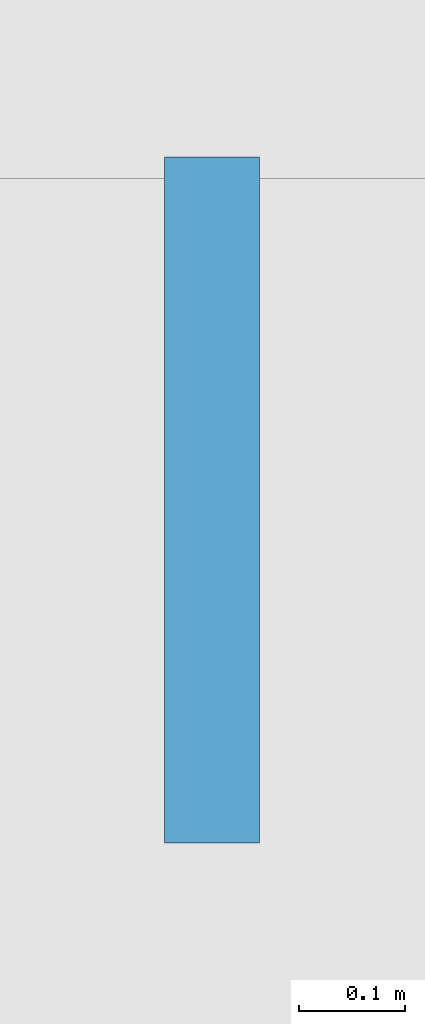
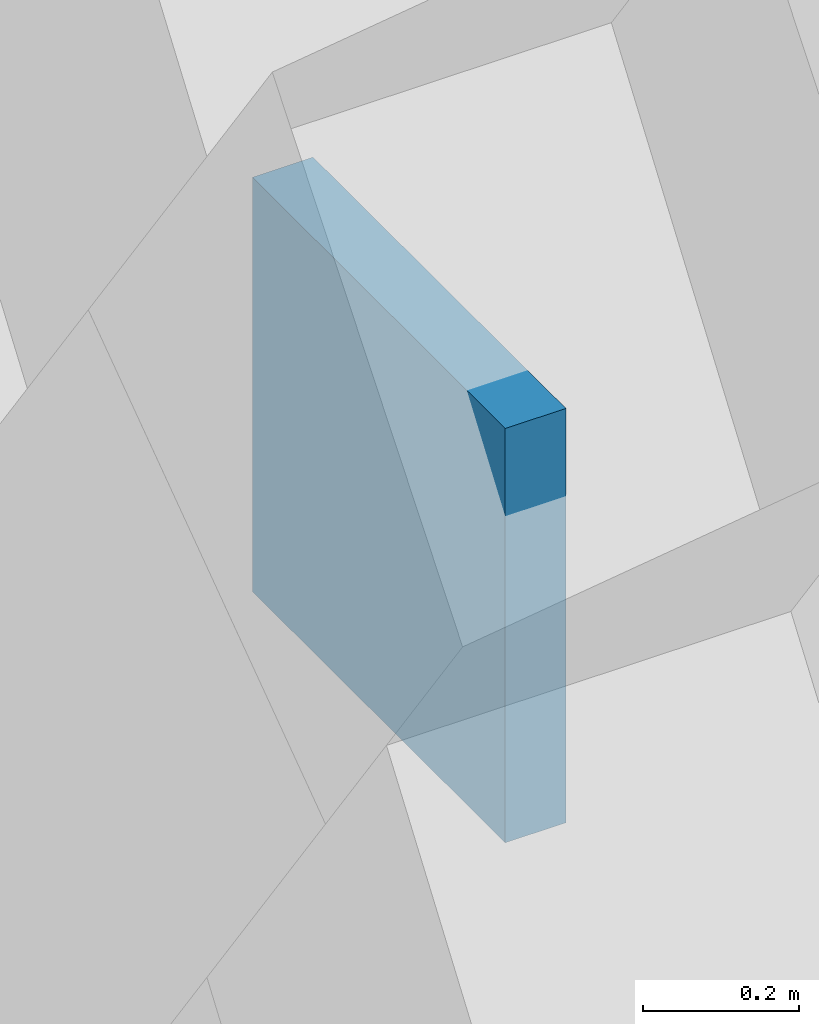
# One storey, part 42 of 62: 1 plate.
"""IFC4 building model written with IfcOpenShell, lengths in metres."""

import ifcopenshell
import ifcopenshell.guid

model = None  # the IFC model being written
_history = None  # IfcOwnerHistory: only IFC2X3 demands one
_inside = {}  # id of a spatial element -> (the spatial element, [elements in it])
_under = {}  # id of a project, library or spatial element -> (it, [spatial elements below it])
_declared = {}  # id of a project -> (the project, [libraries it declares])
_typed = {}  # id of a type object -> (the type object, [elements of that type])
_made_of = {}  # id of a material, layer set ... -> (it, [elements and type objects made of it])


def new_model(schema):
    """Start an empty IFC model of exactly this schema.

    Asked for "IFC4X3", IfcOpenShell would pick the latest addendum, in which some entities
    have other attributes; the version numbers below select the first issue.
    IFC2X3 requires an IfcOwnerHistory on every rooted entity: one is made here for all.
    """
    global model, _history
    if schema == "IFC4X3":
        model = ifcopenshell.file(schema_version=(4, 3, 0, 0))
    else:
        model = ifcopenshell.file(schema=schema)
    _inside.clear()
    _under.clear()
    _declared.clear()
    _typed.clear()
    _made_of.clear()
    _history = None
    if model.schema == "IFC2X3":
        org = make("IfcOrganization", Name="unknown")
        user = make(
            "IfcPersonAndOrganization",
            ThePerson=make("IfcPerson", FamilyName="unknown"),
            TheOrganization=org,
        )
        app = make(
            "IfcApplication",
            ApplicationDeveloper=org,
            Version="unknown",
            ApplicationFullName="unknown",
            ApplicationIdentifier="unknown",
        )
        _history = make(
            "IfcOwnerHistory",
            OwningUser=user,
            OwningApplication=app,
            ChangeAction="ADDED",
            CreationDate=0,
        )
    return model


def make(cls, **values):
    """One entity of the class cls with the attributes given. An attribute that is None is left unset."""
    return model.create_entity(
        cls, **{name: value for name, value in values.items() if value is not None}
    )


def rooted(cls, **values):
    """An entity with a GlobalId (a new one), such as an element, a storey or a relation."""
    return make(cls, GlobalId=ifcopenshell.guid.new(), OwnerHistory=_history, **values)


def si_unit(unit_type, name, prefix=None):
    """IfcSIUnit, for example si_unit("LENGTHUNIT", "METRE", prefix="MILLI")."""
    return make("IfcSIUnit", UnitType=unit_type, Prefix=prefix, Name=name)


def assignment(units):
    """IfcUnitAssignment: the units of a project."""
    return None if units is None else make("IfcUnitAssignment", Units=units)


def point(xyz):
    """IfcCartesianPoint."""
    return None if xyz is None else make("IfcCartesianPoint", Coordinates=xyz)


def direction(xyz):
    """IfcDirection."""
    return None if xyz is None else make("IfcDirection", DirectionRatios=xyz)


def frame(location, z_axis=None, x_axis=None):
    """IfcAxis2Placement3D, a coordinate frame: its origin and axes. An axis left out is left unset."""
    return make(
        "IfcAxis2Placement3D",
        Location=point(location),
        Axis=direction(z_axis),
        RefDirection=direction(x_axis),
    )


def frame_2d(location, x_axis=None):
    """IfcAxis2Placement2D, a coordinate frame in the plane: its origin and x axis."""
    return make(
        "IfcAxis2Placement2D", Location=point(location), RefDirection=direction(x_axis)
    )


def origin():
    """The frame at (0, 0, 0) with its axes left unset."""
    return frame((0.0, 0.0, 0.0))


def origin_2d():
    """The frame at (0, 0) in the plane with its x axis left unset."""
    return frame_2d((0.0, 0.0))


def place(relative_to, where):
    """IfcLocalPlacement: puts the frame where relative to a parent placement (None: the world)."""
    return make(
        "IfcLocalPlacement", PlacementRelTo=relative_to, RelativePlacement=where
    )


def context(
    kind, dimensions, precision=None, world=None, true_north=None, identifier=None
):
    """IfcGeometricRepresentationContext, for example the 3D "Model" context."""
    return make(
        "IfcGeometricRepresentationContext",
        ContextIdentifier=identifier,
        ContextType=kind,
        CoordinateSpaceDimension=dimensions,
        Precision=precision,
        WorldCoordinateSystem=world,
        TrueNorth=true_north,
    )


def subcontext(parent, identifier, kind, view, scale=None):
    """IfcGeometricRepresentationSubContext, for example "Body" below "Model"."""
    return make(
        "IfcGeometricRepresentationSubContext",
        ContextIdentifier=identifier,
        ContextType=kind,
        ParentContext=parent,
        TargetScale=scale,
        TargetView=view,
    )


def project(units=None, contexts=None):
    """IfcProject with its units and contexts."""
    return rooted(
        "IfcProject",
        Name="project",
        RepresentationContexts=contexts,
        UnitsInContext=assignment(units),
    )


def spatial(cls, under=None, at=None, **own):
    """A site, building, storey or space (cls), placed at a placement, below another one or the project."""
    s = rooted(cls, ObjectPlacement=at, **own)
    if under is not None:
        _under.setdefault(under.id(), (under, []))[1].append(s)
    return s


def profile(cls, at=None, kind="AREA", **sizes):
    """A parametric profile (cls). Its sizes go by their IFC names, for example OverallWidth=200.0."""
    return make(cls, ProfileType=kind, Position=at, **sizes)


def rectangle(**sizes):
    """IfcRectangleProfileDef."""
    return profile("IfcRectangleProfileDef", **sizes)


def extrude(swept, where, along, depth):
    """IfcExtrudedAreaSolid: the profile swept, set in the frame where, extruded along a direction by depth."""
    return make(
        "IfcExtrudedAreaSolid",
        SweptArea=swept,
        Position=where,
        ExtrudedDirection=direction(along),
        Depth=depth,
    )


def shape(context_of_items, identifier, shape_type, items):
    """IfcShapeRepresentation: the items that make up one representation, for example the "Body"."""
    return make(
        "IfcShapeRepresentation",
        ContextOfItems=context_of_items,
        RepresentationIdentifier=identifier,
        RepresentationType=shape_type,
        Items=items,
    )


def material(Name=None, Category=None):
    """IfcMaterial."""
    return make("IfcMaterial", Name=Name, Category=Category)


def layer(
    of_material, thickness, ventilated=None, Name=None, Category=None, Priority=None
):
    """IfcMaterialLayer: one layer of a wall or slab, of a material (None: an air gap)."""
    return make(
        "IfcMaterialLayer",
        Material=of_material,
        LayerThickness=thickness,
        IsVentilated=ventilated,
        Name=Name,
        Category=Category,
        Priority=Priority,
    )


def layer_set(layers, Name=None):
    """IfcMaterialLayerSet."""
    return make("IfcMaterialLayerSet", MaterialLayers=layers, LayerSetName=Name)


def made_of(thing, what):
    """Note that an element or type object is made of a material, layer set ...; save() writes the relation."""
    if what is not None:
        _made_of.setdefault(what.id(), (what, []))[1].append(thing)
    return thing


def type_object(cls, material=None, **own):
    """A type object (cls), such as IfcWallType, which elements share."""
    return made_of(rooted(cls, **own), material)


def element(
    cls,
    number,
    at=None,
    inside=None,
    cuts=None,
    type_object=None,
    material=None,
    context=None,
    identifier="Body",
    shape_type=None,
    held_by="IfcProductDefinitionShape",
    body=None,
    shapes=None,
    **own,
):
    """One element of the class cls, such as IfcWall. Its Tag is "e" and its number.

    at: its placement. inside: the storey or other place that contains it. cuts: it is an
    opening in that element (IfcRelVoidsElement). A single representation is given by context,
    identifier, shape_type and body (its items); several are given by shapes. held_by: the class
    of the entity that holds the representations. save() writes the other relations.
    """
    e = rooted(cls, Tag="e%d" % number, ObjectPlacement=at, **own)
    if body is not None:
        shapes = [shape(context, identifier, shape_type, body)]
    if shapes is not None:
        e.Representation = make(held_by, Representations=shapes)
    if inside is not None:
        _inside.setdefault(inside.id(), (inside, []))[1].append(e)
    if cuts is not None:
        rooted(
            "IfcRelVoidsElement", RelatingBuildingElement=cuts, RelatedOpeningElement=e
        )
    if type_object is not None:
        _typed.setdefault(type_object.id(), (type_object, []))[1].append(e)
    return made_of(e, material)


def aggregate(whole, parts):
    """IfcRelAggregates: a whole, such as a stair, and the parts it consists of."""
    return rooted("IfcRelAggregates", RelatingObject=whole, RelatedObjects=parts)


def save(model, path):
    """Write the relations noted so far, then the file.

    IfcRelAggregates (storeys below a building ...), IfcRelContainedInSpatialStructure (elements
    in a storey), IfcRelDefinesByType, IfcRelAssociatesMaterial and IfcRelDeclares: one each for
    every whole, place, type object, material and project.
    """
    for whole, parts in _under.values():
        aggregate(whole, parts)
    for where, things in _inside.values():
        rooted(
            "IfcRelContainedInSpatialStructure",
            RelatedElements=things,
            RelatingStructure=where,
        )
    for kind, things in _typed.values():
        rooted("IfcRelDefinesByType", RelatedObjects=things, RelatingType=kind)
    for what, things in _made_of.values():
        rooted("IfcRelAssociatesMaterial", RelatedObjects=things, RelatingMaterial=what)
    for by, libraries in _declared.values():
        rooted("IfcRelDeclares", RelatingContext=by, RelatedDefinitions=libraries)
    model.write(path)


model = new_model("IFC4")

# Units and contexts
model_context = context("Model", 3, precision=1e-05, world=origin(), true_north=direction((0.0, 1.0)))
body_context = subcontext(model_context, "Body", "Model", "MODEL_VIEW")
ifc_project = project(units=[si_unit("LENGTHUNIT", "METRE"), si_unit("AREAUNIT", "SQUARE_METRE"), si_unit("VOLUMEUNIT", "CUBIC_METRE"), si_unit("PLANEANGLEUNIT", "RADIAN"), si_unit("MASSUNIT", "GRAM", prefix="KILO"), si_unit("THERMODYNAMICTEMPERATUREUNIT", "KELVIN"), si_unit("POWERUNIT", "WATT")], contexts=[model_context])

# Site, building, storey
site_placement = place(None, origin())
site = spatial("IfcSite", under=ifc_project, at=site_placement, CompositionType="ELEMENT")
building_placement = place(site_placement, origin())
building = spatial("IfcBuilding", under=site, at=building_placement, Name="Tembeka Court Mobility Hub", CompositionType="ELEMENT")
storey_placement = place(building_placement, frame((0.0, 0.0, 16.199951171875)))
storey = spatial("IfcBuildingStorey", under=building, at=storey_placement, Name="L04", CompositionType="ELEMENT", Elevation=16.199951171875)

# Plate
ifc_material = material(Name="Precast concrete C45/55", Category="concrete")
ifc_layer = layer(ifc_material, 0.090087890625)
ifc_layer_set = layer_set([ifc_layer], Name="Precast concrete C45/55")
plate_type = type_object("IfcPlateType", Name="PL-PC01", PredefinedType="SHEET", material=ifc_layer_set)
plate_placement = place(storey_placement, frame((-0.340087890625, 62.550048828125, 1.16015625), z_axis=(0.0, 0.0, 1.0), x_axis=(1.0, 0.0, 0.0)))
element("IfcPlate", 1, at=plate_placement, inside=storey, type_object=plate_type, Name="Precast diamond lattice node plate PCN01 (L04-706)", PredefinedType="SHEET", context=body_context, shape_type="SweptSolid", body=[
    extrude(rectangle(XDim=0.090087890625, YDim=0.64990234375, at=origin_2d()), origin(), (0.0, 0.0, 1.0), 0.64990234375),
])

save(model, "model.ifc")
